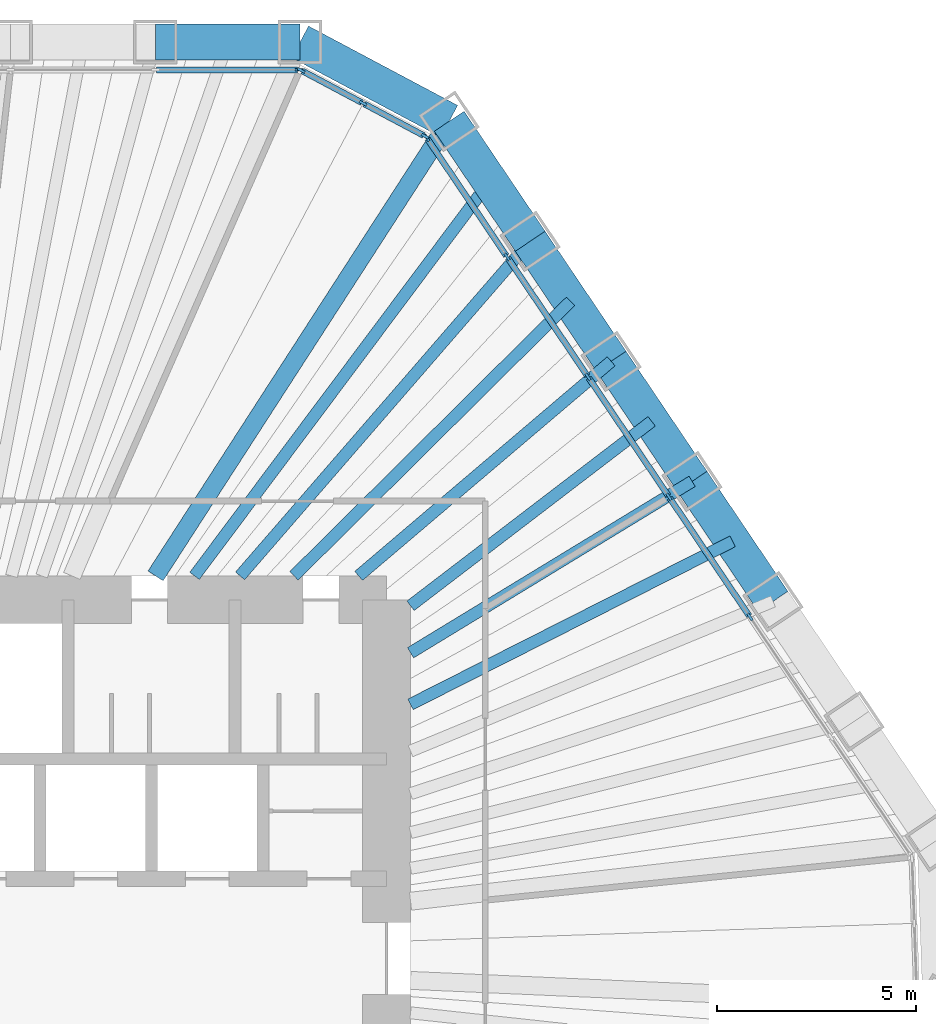
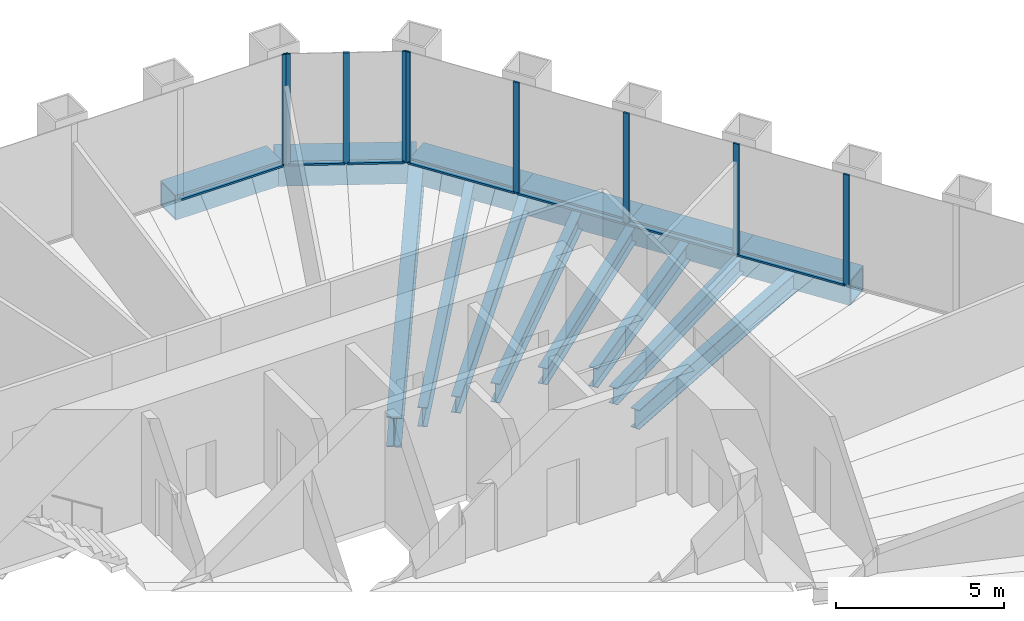
# One storey, part 7 of 14: 16 members, 14 beams, 3 elements without a shape of their own.
"""IFC4 building model written with IfcOpenShell, lengths in metres."""

from ifc_helpers import new_model, si_unit, direction, frame, origin, origin_2d, place, context, subcontext, project, spatial, rectangle, hollow_rectangle, i_section, extrude, material, material_profile, profile_set, type_object, element, aggregate, save


model = new_model("IFC4")

# Units and contexts
model_context = context("Model", 3, precision=1e-05, world=origin(), true_north=direction((0.0, 1.0)))
body_context = subcontext(model_context, "Body", "Model", "MODEL_VIEW")
ifc_project = project(units=[si_unit("LENGTHUNIT", "METRE"), si_unit("AREAUNIT", "SQUARE_METRE"), si_unit("VOLUMEUNIT", "CUBIC_METRE"), si_unit("PLANEANGLEUNIT", "RADIAN"), si_unit("MASSUNIT", "GRAM", prefix="KILO")], contexts=[model_context])

# Site, building, storey
site_placement = place(None, origin())
site = spatial("IfcSite", under=ifc_project, at=site_placement, CompositionType="ELEMENT")
building_placement = place(site_placement, origin())
building = spatial("IfcBuilding", under=site, at=building_placement, Name="Qingtian Harvest Tower", CompositionType="ELEMENT")
storey_placement = place(building_placement, frame((0.0, 0.0, 197.199951171875)))
storey = spatial("IfcBuildingStorey", under=building, at=storey_placement, Name="L42", CompositionType="ELEMENT", Elevation=197.199951171875)

# Beams
ifc_material_1 = material(Name="Steel SM570MC", Category="steel")
ifc_material_profile_1 = material_profile(ifc_material_1, i_section(OverallWidth=0.449951171875, OverallDepth=1.10009765625, WebThickness=0.02197265625, FlangeThickness=0.044921875, at=origin_2d()), Name="H1100x450x22x45")
ifc_profile_set_1 = profile_set([ifc_material_profile_1], Name="Steel SM570MC")
beam_type_1 = type_object("IfcBeamType", Name="Corner floor beam FB8 H1100x450x22x45", PredefinedType="BEAM", material=ifc_profile_set_1)
beam_1_placement = place(storey_placement, frame((13.5712890625, 21.01025390625, -0.719970703125), z_axis=(-0.542593072822, -0.839995688873, 0.0), x_axis=(0.839995688873, -0.542593072822, 0.0)))
element("IfcBeam", 1, at=beam_1_placement, inside=storey, type_object=beam_type_1, Name="Floor beam FB8 NE0", PredefinedType="BEAM", context=body_context, shape_type="SweptSolid", body=[
    extrude(i_section(OverallWidth=0.449951171875, OverallDepth=1.10009765625, WebThickness=0.02197265625, FlangeThickness=0.044921875, at=origin_2d()), origin(), (0.0, 0.0, 1.0), 13.58349609375),
])
ifc_material_2 = material(Name="Steel SN490B", Category="steel")
ifc_material_profile_2 = material_profile(ifc_material_2, i_section(OverallWidth=0.300048828125, OverallDepth=0.60009765625, WebThickness=0.011962890625, FlangeThickness=0.02001953125, at=origin_2d()), Name="H600x300x12x20")
ifc_profile_set_2 = profile_set([ifc_material_profile_2], Name="Steel SN490B")
beam_type_2 = type_object("IfcBeamType", Name="Floor beam FB3 H600x300x12x20", PredefinedType="BEAM", material=ifc_profile_set_2)
beam_2_placement = place(storey_placement, frame((15.603271484375, 17.998046875, -0.469970703125), z_axis=(-0.655048444444, -0.755586881458, 0.0), x_axis=(0.755586881458, -0.655048444444, 0.0)))
element("IfcBeam", 2, at=beam_2_placement, inside=storey, type_object=beam_type_2, Name="Floor beam FB3 NE1", PredefinedType="BEAM", context=body_context, shape_type="SweptSolid", body=[
    extrude(i_section(OverallWidth=0.300048828125, OverallDepth=0.60009765625, WebThickness=0.011962890625, FlangeThickness=0.02001953125, at=origin_2d()), origin(), (0.0, 0.0, 1.0), 11.114501953125),
])
beam_3_placement = place(storey_placement, frame((17.635009765625, 14.985595703125, -0.469970703125), z_axis=(-0.762028398305, -0.647543604846, 0.0), x_axis=(0.647543604846, -0.762028398305, 0.0)))
element("IfcBeam", 3, at=beam_3_placement, inside=storey, type_object=beam_type_2, Name="Floor beam FB3 NE2", PredefinedType="BEAM", context=body_context, shape_type="SweptSolid", body=[
    extrude(i_section(OverallWidth=0.300048828125, OverallDepth=0.60009765625, WebThickness=0.011962890625, FlangeThickness=0.02001953125, at=origin_2d()), origin(), (0.0, 0.0, 1.0), 8.31689453125),
])
beam_4_placement = place(storey_placement, frame((19.6669921875, 11.97314453125, -0.469970703125), z_axis=(-0.854163224424, -0.520004986554, 0.0), x_axis=(0.520004986554, -0.854163224424, 0.0)))
element("IfcBeam", 4, at=beam_4_placement, inside=storey, type_object=beam_type_2, Name="Floor beam FB3 NE3", PredefinedType="BEAM", context=body_context, shape_type="SweptSolid", body=[
    extrude(i_section(OverallWidth=0.300048828125, OverallDepth=0.60009765625, WebThickness=0.011962890625, FlangeThickness=0.02001953125, at=origin_2d()), origin(), (0.0, 0.0, 1.0), 8.2734375),
])
ifc_material_3 = material(Name="Steel SN490B", Category="steel")
ifc_material_profile_3 = material_profile(ifc_material_3, i_section(OverallWidth=0.300048828125, OverallDepth=0.699951171875, WebThickness=0.012939453125, FlangeThickness=0.02392578125, at=origin_2d()), Name="H700x300x13x24")
ifc_profile_set_3 = profile_set([ifc_material_profile_3], Name="Steel SN490B")
beam_type_3 = type_object("IfcBeamType", Name="Floor joist J2 H700x300x13x24", PredefinedType="JOIST", material=ifc_profile_set_3)
beam_5_placement = place(storey_placement, frame((14.58740234375, 19.504150390625, -0.52001953125), z_axis=(-0.598935081494, -0.800797582511, 0.0), x_axis=(0.800797582511, -0.598935081494, 0.0)))
element("IfcBeam", 5, at=beam_5_placement, inside=storey, type_object=beam_type_3, Name="Floor joist J2 NE0", PredefinedType="JOIST", context=body_context, shape_type="SweptSolid", body=[
    extrude(i_section(OverallWidth=0.300048828125, OverallDepth=0.699951171875, WebThickness=0.012939453125, FlangeThickness=0.02392578125, at=origin_2d()), origin(), (0.0, 0.0, 1.0), 12.36767578125),
])
beam_6_placement = place(storey_placement, frame((16.619140625, 16.49169921875, -0.52001953125), z_axis=(-0.709833839663, -0.704369164622, 0.0), x_axis=(0.704369164622, -0.709833839663, 0.0)))
element("IfcBeam", 6, at=beam_6_placement, inside=storey, type_object=beam_type_3, Name="Floor joist J2 NE1", PredefinedType="JOIST", context=body_context, shape_type="SweptSolid", body=[
    extrude(i_section(OverallWidth=0.300048828125, OverallDepth=0.699951171875, WebThickness=0.012939453125, FlangeThickness=0.02392578125, at=origin_2d()), origin(), (0.0, 0.0, 1.0), 9.7841796875),
])
beam_7_placement = place(storey_placement, frame((18.651123046875, 13.4794921875, -0.52001953125), z_axis=(-0.794222288871, -0.607627316585, 0.0), x_axis=(0.607627316585, -0.794222288871, 0.0)))
element("IfcBeam", 7, at=beam_7_placement, inside=storey, type_object=beam_type_3, Name="Floor joist J2 NE2", PredefinedType="JOIST", context=body_context, shape_type="SweptSolid", body=[
    extrude(i_section(OverallWidth=0.300048828125, OverallDepth=0.699951171875, WebThickness=0.012939453125, FlangeThickness=0.02392578125, at=origin_2d()), origin(), (0.0, 0.0, 1.0), 7.618896484375),
])
beam_8_placement = place(storey_placement, frame((20.682861328125, 10.467041015625, -0.52001953125), z_axis=(-0.892244443914, -0.451552712652, 0.0), x_axis=(0.451552712652, -0.892244443914, 0.0)))
element("IfcBeam", 8, at=beam_8_placement, inside=storey, type_object=beam_type_3, Name="Floor joist J2 NE3", PredefinedType="JOIST", context=body_context, shape_type="SweptSolid", body=[
    extrude(i_section(OverallWidth=0.300048828125, OverallDepth=0.699951171875, WebThickness=0.012939453125, FlangeThickness=0.02392578125, at=origin_2d()), origin(), (0.0, 0.0, 1.0), 9.058837890625),
])

# Curtain wall, member
ifc_material_4 = material(Name="Bronze-anodised aluminium curtain wall", Category="aluminium")
curtain_wall_type = type_object("IfcCurtainWallType", Name="Curtain wall CW4 office", PredefinedType="USERDEFINED", material=ifc_material_4)
curtain_wall_1_placement = place(storey_placement, origin())
curtain_wall_1 = element("IfcCurtainWall", 9, at=curtain_wall_1_placement, inside=storey, type_object=curtain_wall_type, Name="Curtain wall CW4 L42 N0-5", ObjectType="RECESSED CURTAIN WALL", PredefinedType="USERDEFINED")
ifc_material_5 = material(Name="Bronze-anodised aluminium mullion", Category="aluminium")
ifc_material_profile_4 = material_profile(ifc_material_5, rectangle(XDim=0.06494140625, YDim=0.199951171875, at=origin_2d()), Name="AL 65x200")
ifc_profile_set_4 = profile_set([ifc_material_profile_4], Name="Bronze-anodised aluminium mullion")
member_type_1 = type_object("IfcMemberType", Name="Mullion CWM 65x200", PredefinedType="MULLION", material=ifc_profile_set_4)
member_1_placement = place(storey_placement, frame((9.796875, 22.300048828125, 0.0), z_axis=(0.0, 0.0, 1.0), x_axis=(0.0, 1.0, 0.0)))
member_1 = element("IfcMember", 10, at=member_1_placement, type_object=member_type_1, Name="CW4 mullion 7", PredefinedType="MULLION", context=body_context, shape_type="SweptSolid", body=[
    extrude(rectangle(XDim=0.06494140625, YDim=0.199951171875, at=origin_2d()), origin(), (0.0, 0.0, 1.0), 4.030029296875),
])

# Curtain wall, members
curtain_wall_2_placement = place(storey_placement, origin())
curtain_wall_2 = element("IfcCurtainWall", 11, at=curtain_wall_2_placement, inside=storey, type_object=curtain_wall_type, Name="Curtain wall CW4 L42 NC", ObjectType="RECESSED CURTAIN WALL", PredefinedType="USERDEFINED")
member_2_placement = place(storey_placement, frame((9.85791015625, 22.28466796875, 0.0), z_axis=(0.0, 0.0, 1.0), x_axis=(0.469471562786, 0.882947592859, 0.0)))
member_2 = element("IfcMember", 12, at=member_2_placement, type_object=member_type_1, Name="CW4 mullion 1", PredefinedType="MULLION", context=body_context, shape_type="SweptSolid", body=[
    extrude(rectangle(XDim=0.06494140625, YDim=0.199951171875, at=origin_2d()), origin(), (0.0, 0.0, 1.0), 4.030029296875),
])
member_3_placement = place(storey_placement, frame((11.41015625, 21.45947265625, 0.0), z_axis=(0.0, 0.0, 1.0), x_axis=(0.469471562786, 0.882947592859, 0.0)))
member_3 = element("IfcMember", 13, at=member_3_placement, type_object=member_type_1, Name="CW4 mullion 2", PredefinedType="MULLION", context=body_context, shape_type="SweptSolid", body=[
    extrude(rectangle(XDim=0.06494140625, YDim=0.199951171875, at=origin_2d()), origin(), (0.0, 0.0, 1.0), 4.030029296875),
])
member_4_placement = place(storey_placement, frame((12.96240234375, 20.634033203125, 0.0), z_axis=(0.0, 0.0, 1.0), x_axis=(0.469471562786, 0.882947592859, 0.0)))
member_4 = element("IfcMember", 14, at=member_4_placement, type_object=member_type_1, Name="CW4 mullion 3", PredefinedType="MULLION", context=body_context, shape_type="SweptSolid", body=[
    extrude(rectangle(XDim=0.06494140625, YDim=0.199951171875, at=origin_2d()), origin(), (0.0, 0.0, 1.0), 4.030029296875),
])

curtain_wall_3_placement = place(storey_placement, origin())
curtain_wall_3 = element("IfcCurtainWall", 15, at=curtain_wall_3_placement, inside=storey, type_object=curtain_wall_type, Name="Curtain wall CW4 L42 NE0-5", ObjectType="RECESSED CURTAIN WALL", PredefinedType="USERDEFINED")
member_5_placement = place(storey_placement, frame((13.00927734375, 20.592041015625, 0.0), z_axis=(0.0, 0.0, 1.0), x_axis=(0.829037572555, 0.559192903471, 0.0)))
member_5 = element("IfcMember", 16, at=member_5_placement, type_object=member_type_1, Name="CW4 mullion 1", PredefinedType="MULLION", context=body_context, shape_type="SweptSolid", body=[
    extrude(rectangle(XDim=0.06494140625, YDim=0.199951171875, at=origin_2d()), origin(), (0.0, 0.0, 1.0), 4.030029296875),
])
member_6_placement = place(storey_placement, frame((15.02294921875, 17.6064453125, 0.0), z_axis=(0.0, 0.0, 1.0), x_axis=(0.829037572555, 0.559192903471, 0.0)))
member_6 = element("IfcMember", 17, at=member_6_placement, type_object=member_type_1, Name="CW4 mullion 2", PredefinedType="MULLION", context=body_context, shape_type="SweptSolid", body=[
    extrude(rectangle(XDim=0.06494140625, YDim=0.199951171875, at=origin_2d()), origin(), (0.0, 0.0, 1.0), 4.030029296875),
])
member_7_placement = place(storey_placement, frame((17.0546875, 14.59423828125, 0.0), z_axis=(0.0, 0.0, 1.0), x_axis=(0.829037572555, 0.559192903471, 0.0)))
member_7 = element("IfcMember", 18, at=member_7_placement, type_object=member_type_1, Name="CW4 mullion 3", PredefinedType="MULLION", context=body_context, shape_type="SweptSolid", body=[
    extrude(rectangle(XDim=0.06494140625, YDim=0.199951171875, at=origin_2d()), origin(), (0.0, 0.0, 1.0), 4.030029296875),
])
member_8_placement = place(storey_placement, frame((19.086669921875, 11.581787109375, 0.0), z_axis=(0.0, 0.0, 1.0), x_axis=(0.829037572555, 0.559192903471, 0.0)))
member_8 = element("IfcMember", 19, at=member_8_placement, type_object=member_type_1, Name="CW4 mullion 4", PredefinedType="MULLION", context=body_context, shape_type="SweptSolid", body=[
    extrude(rectangle(XDim=0.06494140625, YDim=0.199951171875, at=origin_2d()), origin(), (0.0, 0.0, 1.0), 4.030029296875),
])
member_9_placement = place(storey_placement, frame((21.118408203125, 8.569580078125, 0.0), z_axis=(0.0, 0.0, 1.0), x_axis=(0.829037572555, 0.559192903471, 0.0)))
member_9 = element("IfcMember", 20, at=member_9_placement, type_object=member_type_1, Name="CW4 mullion 5", PredefinedType="MULLION", context=body_context, shape_type="SweptSolid", body=[
    extrude(rectangle(XDim=0.06494140625, YDim=0.199951171875, at=origin_2d()), origin(), (0.0, 0.0, 1.0), 4.030029296875),
])

# Beams
ifc_material_6 = material(Name="Steel SM570MC", Category="steel")
ifc_material_profile_5 = material_profile(ifc_material_6, hollow_rectangle(XDim=0.89990234375, YDim=0.89990234375, WallThickness=0.050048828125, at=origin_2d()), Name="BOX900x900x50")
ifc_profile_set_5 = profile_set([ifc_material_profile_5], Name="Steel SM570MC")
beam_type_4 = type_object("IfcBeamType", Name="Transition spandrel SB6 BOX900x900x50", PredefinedType="SPANDREL", material=ifc_profile_set_5)
beam_9_placement = place(storey_placement, frame((6.19580078125, 23.0, -0.449951171875), z_axis=(1.0, 0.0, 0.0), x_axis=(0.0, 1.0, 0.0)))
element("IfcBeam", 21, at=beam_9_placement, inside=storey, type_object=beam_type_4, Name="Spandrel SB6 N5", PredefinedType="SPANDREL", context=body_context, shape_type="SweptSolid", body=[
    extrude(hollow_rectangle(XDim=0.89990234375, YDim=0.89990234375, WallThickness=0.050048828125, at=origin_2d()), origin(), (0.0, 0.0, 1.0), 3.633544921875),
])
beam_10_placement = place(storey_placement, frame((9.829345703125, 23.0, -0.449951171875), z_axis=(0.882935902835, -0.469493547863, 0.0), x_axis=(0.469493547863, 0.882935902835, 0.0)))
element("IfcBeam", 22, at=beam_10_placement, inside=storey, type_object=beam_type_4, Name="Spandrel SB6 NC", PredefinedType="SPANDREL", context=body_context, shape_type="SweptSolid", body=[
    extrude(hollow_rectangle(XDim=0.89990234375, YDim=0.89990234375, WallThickness=0.050048828125, at=origin_2d()), origin(), (0.0, 0.0, 1.0), 4.238037109375),
])
for number, where, z_axis, x_axis, name in (
    (23, (13.5712890625, 21.01025390625, -0.449951171875), (0.559235108412, -0.829009103399, 0.0), (0.829009103399, 0.559235108412, 0.0), "Spandrel SB6 NE0"),
    (24, (15.603271484375, 17.998046875, -0.449951171875), (0.55915777886, -0.829061263321, 0.0), (0.829061263321, 0.55915777886, 0.0), "Spandrel SB6 NE1"),
):
    element("IfcBeam", number, at=place(storey_placement, frame(where, z_axis=z_axis, x_axis=x_axis)), inside=storey, type_object=beam_type_4, Name=name, PredefinedType="SPANDREL", context=body_context, shape_type="SweptSolid", body=[
        extrude(hollow_rectangle(XDim=0.89990234375, YDim=0.89990234375, WallThickness=0.050048828125, at=origin_2d()), origin(), (0.0, 0.0, 1.0), 3.633544921875),
    ])
beam_11_placement = place(storey_placement, frame((17.635009765625, 14.985595703125, -0.449951171875), z_axis=(0.55920395902, -0.829030115385, 0.0), x_axis=(0.829030115385, 0.55920395902, 0.0)))
element("IfcBeam", 25, at=beam_11_placement, inside=storey, type_object=beam_type_4, Name="Spandrel SB6 NE2", PredefinedType="SPANDREL", context=body_context, shape_type="SweptSolid", body=[
    extrude(hollow_rectangle(XDim=0.89990234375, YDim=0.89990234375, WallThickness=0.050048828125, at=origin_2d()), origin(), (0.0, 0.0, 1.0), 3.6337890625),
])
beam_12_placement = place(storey_placement, frame((19.6669921875, 11.97314453125, -0.449951171875), z_axis=(0.559188928021, -0.829040254016, 0.0), x_axis=(0.829040254016, 0.559188928021, 0.0)))
element("IfcBeam", 26, at=beam_12_placement, inside=storey, type_object=beam_type_4, Name="Spandrel SB6 NE3", PredefinedType="SPANDREL", context=body_context, shape_type="SweptSolid", body=[
    extrude(hollow_rectangle(XDim=0.89990234375, YDim=0.89990234375, WallThickness=0.050048828125, at=origin_2d()), origin(), (0.0, 0.0, 1.0), 3.63330078125),
])

# Member
ifc_material_7 = material(Name="Bronze-anodised aluminium transom", Category="aluminium")
ifc_material_profile_6 = material_profile(ifc_material_7, rectangle(XDim=0.14990234375, YDim=0.06494140625, at=origin_2d()), Name="AL 65x150")
ifc_profile_set_6 = profile_set([ifc_material_profile_6], Name="Bronze-anodised aluminium transom")
member_type_2 = type_object("IfcMemberType", Name="Transom CWT 65x150", PredefinedType="USERDEFINED", material=ifc_profile_set_6)
member_10_placement = place(storey_placement, frame((6.228271484375, 22.300048828125, 0.032470703125), z_axis=(1.0, 0.0, 0.0), x_axis=(0.0, 1.0, 0.0)))
member_10 = element("IfcMember", 27, at=member_10_placement, type_object=member_type_2, Name="CW4 transom 6.1", ObjectType="TRANSOM", PredefinedType="USERDEFINED", context=body_context, shape_type="SweptSolid", body=[
    extrude(rectangle(XDim=0.14990234375, YDim=0.06494140625, at=origin_2d()), origin(), (0.0, 0.0, 1.0), 3.5361328125),
])

aggregate(curtain_wall_1, [member_1, member_10])

member_11_placement = place(storey_placement, frame((9.88671875, 22.26953125, 0.032470703125), z_axis=(0.882927080927, -0.469510138086, 0.0), x_axis=(0.469510138086, 0.882927080927, 0.0)))
member_11 = element("IfcMember", 28, at=member_11_placement, type_object=member_type_2, Name="CW4 transom 1.1", ObjectType="TRANSOM", PredefinedType="USERDEFINED", context=body_context, shape_type="SweptSolid", body=[
    extrude(rectangle(XDim=0.14990234375, YDim=0.06494140625, at=origin_2d()), origin(), (0.0, 0.0, 1.0), 1.693115234375),
])

member_12_placement = place(storey_placement, frame((11.43896484375, 21.444091796875, 0.032470703125), z_axis=(0.882955074232, -0.469457492098, 0.0), x_axis=(0.469457492098, 0.882955074232, 0.0)))
member_12 = element("IfcMember", 29, at=member_12_placement, type_object=member_type_2, Name="CW4 transom 2.1", ObjectType="TRANSOM", PredefinedType="USERDEFINED", context=body_context, shape_type="SweptSolid", body=[
    extrude(rectangle(XDim=0.14990234375, YDim=0.06494140625, at=origin_2d()), origin(), (0.0, 0.0, 1.0), 1.69287109375),
])

aggregate(curtain_wall_2, [member_2, member_3, member_4, member_11, member_12])

member_13_placement = place(storey_placement, frame((13.02734375, 20.56494140625, 0.032470703125), z_axis=(0.559201266891, -0.829031931295, 0.0), x_axis=(0.829031931295, 0.559201266891, 0.0)))
member_13 = element("IfcMember", 30, at=member_13_placement, type_object=member_type_2, Name="CW4 transom 1.1", ObjectType="TRANSOM", PredefinedType="USERDEFINED", context=body_context, shape_type="SweptSolid", body=[
    extrude(rectangle(XDim=0.14990234375, YDim=0.06494140625, at=origin_2d()), origin(), (0.0, 0.0, 1.0), 3.535888671875),
])

member_14_placement = place(storey_placement, frame((15.041015625, 17.57958984375, 0.032470703125), z_axis=(0.559207281901, -0.829027874, 0.0), x_axis=(0.829027874, 0.559207281901, 0.0)))
member_14 = element("IfcMember", 31, at=member_14_placement, type_object=member_type_2, Name="CW4 transom 2.1", ObjectType="TRANSOM", PredefinedType="USERDEFINED", context=body_context, shape_type="SweptSolid", body=[
    extrude(rectangle(XDim=0.14990234375, YDim=0.06494140625, at=origin_2d()), origin(), (0.0, 0.0, 1.0), 3.568603515625),
])

member_15_placement = place(storey_placement, frame((17.072998046875, 14.567138671875, 0.032470703125), z_axis=(0.559191977147, -0.829038197368, 0.0), x_axis=(0.829038197368, 0.559191977147, 0.0)))
member_15 = element("IfcMember", 32, at=member_15_placement, type_object=member_type_2, Name="CW4 transom 3.1", ObjectType="TRANSOM", PredefinedType="USERDEFINED", context=body_context, shape_type="SweptSolid", body=[
    extrude(rectangle(XDim=0.14990234375, YDim=0.06494140625, at=origin_2d()), origin(), (0.0, 0.0, 1.0), 3.568359375),
])

member_16_placement = place(storey_placement, frame((19.104736328125, 11.554931640625, 0.032470703125), z_axis=(0.559207281901, -0.829027874, 0.0), x_axis=(0.829027874, 0.559207281901, 0.0)))
member_16 = element("IfcMember", 33, at=member_16_placement, type_object=member_type_2, Name="CW4 transom 4.1", ObjectType="TRANSOM", PredefinedType="USERDEFINED", context=body_context, shape_type="SweptSolid", body=[
    extrude(rectangle(XDim=0.14990234375, YDim=0.06494140625, at=origin_2d()), origin(), (0.0, 0.0, 1.0), 3.568603515625),
])

aggregate(curtain_wall_3, [member_5, member_6, member_7, member_8, member_9, member_13, member_14, member_15, member_16])

save(model, "model.ifc")
